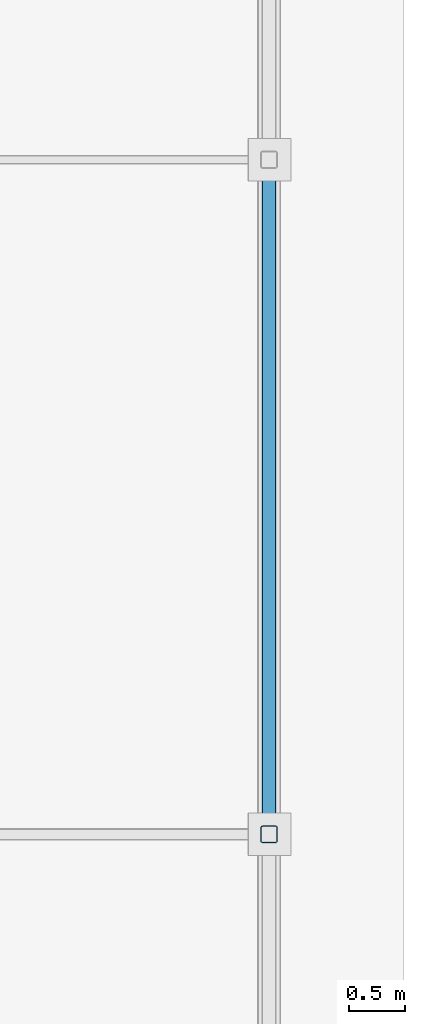
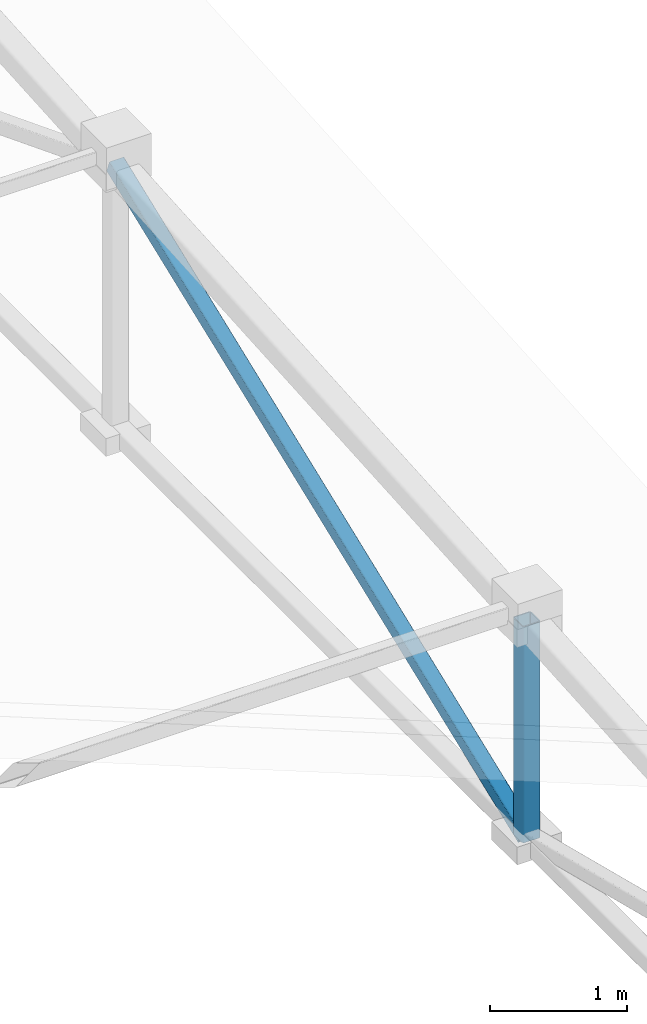
# One storey, part 23 of 85: 2 members.
"""IFC4 building model written with IfcOpenShell, lengths in metres."""

import ifcopenshell
import ifcopenshell.guid

model = None  # the IFC model being written
_history = None  # IfcOwnerHistory: only IFC2X3 demands one
_inside = {}  # id of a spatial element -> (the spatial element, [elements in it])
_under = {}  # id of a project, library or spatial element -> (it, [spatial elements below it])
_declared = {}  # id of a project -> (the project, [libraries it declares])
_typed = {}  # id of a type object -> (the type object, [elements of that type])
_made_of = {}  # id of a material, layer set ... -> (it, [elements and type objects made of it])


def new_model(schema):
    """Start an empty IFC model of exactly this schema.

    Asked for "IFC4X3", IfcOpenShell would pick the latest addendum, in which some entities
    have other attributes; the version numbers below select the first issue.
    IFC2X3 requires an IfcOwnerHistory on every rooted entity: one is made here for all.
    """
    global model, _history
    if schema == "IFC4X3":
        model = ifcopenshell.file(schema_version=(4, 3, 0, 0))
    else:
        model = ifcopenshell.file(schema=schema)
    _inside.clear()
    _under.clear()
    _declared.clear()
    _typed.clear()
    _made_of.clear()
    _history = None
    if model.schema == "IFC2X3":
        org = make("IfcOrganization", Name="unknown")
        user = make(
            "IfcPersonAndOrganization",
            ThePerson=make("IfcPerson", FamilyName="unknown"),
            TheOrganization=org,
        )
        app = make(
            "IfcApplication",
            ApplicationDeveloper=org,
            Version="unknown",
            ApplicationFullName="unknown",
            ApplicationIdentifier="unknown",
        )
        _history = make(
            "IfcOwnerHistory",
            OwningUser=user,
            OwningApplication=app,
            ChangeAction="ADDED",
            CreationDate=0,
        )
    return model


def make(cls, **values):
    """One entity of the class cls with the attributes given. An attribute that is None is left unset."""
    return model.create_entity(
        cls, **{name: value for name, value in values.items() if value is not None}
    )


def rooted(cls, **values):
    """An entity with a GlobalId (a new one), such as an element, a storey or a relation."""
    return make(cls, GlobalId=ifcopenshell.guid.new(), OwnerHistory=_history, **values)


def si_unit(unit_type, name, prefix=None):
    """IfcSIUnit, for example si_unit("LENGTHUNIT", "METRE", prefix="MILLI")."""
    return make("IfcSIUnit", UnitType=unit_type, Prefix=prefix, Name=name)


def assignment(units):
    """IfcUnitAssignment: the units of a project."""
    return None if units is None else make("IfcUnitAssignment", Units=units)


def point(xyz):
    """IfcCartesianPoint."""
    return None if xyz is None else make("IfcCartesianPoint", Coordinates=xyz)


def direction(xyz):
    """IfcDirection."""
    return None if xyz is None else make("IfcDirection", DirectionRatios=xyz)


def frame(location, z_axis=None, x_axis=None):
    """IfcAxis2Placement3D, a coordinate frame: its origin and axes. An axis left out is left unset."""
    return make(
        "IfcAxis2Placement3D",
        Location=point(location),
        Axis=direction(z_axis),
        RefDirection=direction(x_axis),
    )


def frame_2d(location, x_axis=None):
    """IfcAxis2Placement2D, a coordinate frame in the plane: its origin and x axis."""
    return make(
        "IfcAxis2Placement2D", Location=point(location), RefDirection=direction(x_axis)
    )


def origin():
    """The frame at (0, 0, 0) with its axes left unset."""
    return frame((0.0, 0.0, 0.0))


def origin_2d():
    """The frame at (0, 0) in the plane with its x axis left unset."""
    return frame_2d((0.0, 0.0))


def place(relative_to, where):
    """IfcLocalPlacement: puts the frame where relative to a parent placement (None: the world)."""
    return make(
        "IfcLocalPlacement", PlacementRelTo=relative_to, RelativePlacement=where
    )


def context(
    kind, dimensions, precision=None, world=None, true_north=None, identifier=None
):
    """IfcGeometricRepresentationContext, for example the 3D "Model" context."""
    return make(
        "IfcGeometricRepresentationContext",
        ContextIdentifier=identifier,
        ContextType=kind,
        CoordinateSpaceDimension=dimensions,
        Precision=precision,
        WorldCoordinateSystem=world,
        TrueNorth=true_north,
    )


def subcontext(parent, identifier, kind, view, scale=None):
    """IfcGeometricRepresentationSubContext, for example "Body" below "Model"."""
    return make(
        "IfcGeometricRepresentationSubContext",
        ContextIdentifier=identifier,
        ContextType=kind,
        ParentContext=parent,
        TargetScale=scale,
        TargetView=view,
    )


def project(units=None, contexts=None):
    """IfcProject with its units and contexts."""
    return rooted(
        "IfcProject",
        Name="project",
        RepresentationContexts=contexts,
        UnitsInContext=assignment(units),
    )


def spatial(cls, under=None, at=None, **own):
    """A site, building, storey or space (cls), placed at a placement, below another one or the project."""
    s = rooted(cls, ObjectPlacement=at, **own)
    if under is not None:
        _under.setdefault(under.id(), (under, []))[1].append(s)
    return s


def profile(cls, at=None, kind="AREA", **sizes):
    """A parametric profile (cls). Its sizes go by their IFC names, for example OverallWidth=200.0."""
    return make(cls, ProfileType=kind, Position=at, **sizes)


def hollow_rectangle(**sizes):
    """IfcRectangleHollowProfileDef."""
    return profile("IfcRectangleHollowProfileDef", **sizes)


def extrude(swept, where, along, depth):
    """IfcExtrudedAreaSolid: the profile swept, set in the frame where, extruded along a direction by depth."""
    return make(
        "IfcExtrudedAreaSolid",
        SweptArea=swept,
        Position=where,
        ExtrudedDirection=direction(along),
        Depth=depth,
    )


def shape(context_of_items, identifier, shape_type, items):
    """IfcShapeRepresentation: the items that make up one representation, for example the "Body"."""
    return make(
        "IfcShapeRepresentation",
        ContextOfItems=context_of_items,
        RepresentationIdentifier=identifier,
        RepresentationType=shape_type,
        Items=items,
    )


def material(Name=None, Category=None):
    """IfcMaterial."""
    return make("IfcMaterial", Name=Name, Category=Category)


def material_profile(
    of_material, cross_section, Name=None, Category=None, Priority=None
):
    """IfcMaterialProfile: a cross section and its material."""
    return make(
        "IfcMaterialProfile",
        Name=Name,
        Material=of_material,
        Profile=cross_section,
        Priority=Priority,
        Category=Category,
    )


def profile_set(profiles, Name=None, composite=None):
    """IfcMaterialProfileSet."""
    return make(
        "IfcMaterialProfileSet",
        Name=Name,
        MaterialProfiles=profiles,
        CompositeProfile=composite,
    )


def made_of(thing, what):
    """Note that an element or type object is made of a material, layer set ...; save() writes the relation."""
    if what is not None:
        _made_of.setdefault(what.id(), (what, []))[1].append(thing)
    return thing


def type_object(cls, material=None, **own):
    """A type object (cls), such as IfcWallType, which elements share."""
    return made_of(rooted(cls, **own), material)


def element(
    cls,
    number,
    at=None,
    inside=None,
    cuts=None,
    type_object=None,
    material=None,
    context=None,
    identifier="Body",
    shape_type=None,
    held_by="IfcProductDefinitionShape",
    body=None,
    shapes=None,
    **own,
):
    """One element of the class cls, such as IfcWall. Its Tag is "e" and its number.

    at: its placement. inside: the storey or other place that contains it. cuts: it is an
    opening in that element (IfcRelVoidsElement). A single representation is given by context,
    identifier, shape_type and body (its items); several are given by shapes. held_by: the class
    of the entity that holds the representations. save() writes the other relations.
    """
    e = rooted(cls, Tag="e%d" % number, ObjectPlacement=at, **own)
    if body is not None:
        shapes = [shape(context, identifier, shape_type, body)]
    if shapes is not None:
        e.Representation = make(held_by, Representations=shapes)
    if inside is not None:
        _inside.setdefault(inside.id(), (inside, []))[1].append(e)
    if cuts is not None:
        rooted(
            "IfcRelVoidsElement", RelatingBuildingElement=cuts, RelatedOpeningElement=e
        )
    if type_object is not None:
        _typed.setdefault(type_object.id(), (type_object, []))[1].append(e)
    return made_of(e, material)


def aggregate(whole, parts):
    """IfcRelAggregates: a whole, such as a stair, and the parts it consists of."""
    return rooted("IfcRelAggregates", RelatingObject=whole, RelatedObjects=parts)


def save(model, path):
    """Write the relations noted so far, then the file.

    IfcRelAggregates (storeys below a building ...), IfcRelContainedInSpatialStructure (elements
    in a storey), IfcRelDefinesByType, IfcRelAssociatesMaterial and IfcRelDeclares: one each for
    every whole, place, type object, material and project.
    """
    for whole, parts in _under.values():
        aggregate(whole, parts)
    for where, things in _inside.values():
        rooted(
            "IfcRelContainedInSpatialStructure",
            RelatedElements=things,
            RelatingStructure=where,
        )
    for kind, things in _typed.values():
        rooted("IfcRelDefinesByType", RelatedObjects=things, RelatingType=kind)
    for what, things in _made_of.values():
        rooted("IfcRelAssociatesMaterial", RelatedObjects=things, RelatingMaterial=what)
    for by, libraries in _declared.values():
        rooted("IfcRelDeclares", RelatingContext=by, RelatedDefinitions=libraries)
    model.write(path)


model = new_model("IFC4")

# Units and contexts
model_context = context("Model", 3, precision=1e-05, world=origin(), true_north=direction((0.0, 1.0)))
body_context = subcontext(model_context, "Body", "Model", "MODEL_VIEW")
ifc_project = project(units=[si_unit("LENGTHUNIT", "METRE"), si_unit("AREAUNIT", "SQUARE_METRE"), si_unit("VOLUMEUNIT", "CUBIC_METRE"), si_unit("PLANEANGLEUNIT", "RADIAN"), si_unit("MASSUNIT", "GRAM", prefix="KILO"), si_unit("THERMODYNAMICTEMPERATUREUNIT", "KELVIN"), si_unit("POWERUNIT", "WATT")], contexts=[model_context])

# Site, building, storey
site_placement = place(None, origin())
site = spatial("IfcSite", under=ifc_project, at=site_placement, CompositionType="ELEMENT")
building_placement = place(site_placement, origin())
building = spatial("IfcBuilding", under=site, at=building_placement, Name="Zelmaris Science Centre", CompositionType="ELEMENT")
storey_placement = place(building_placement, frame((0.0, 0.0, 20.39990234375)))
storey = spatial("IfcBuildingStorey", under=building, at=storey_placement, Name="L04", CompositionType="ELEMENT", Elevation=20.39990234375)

# Members
ifc_material = material(Name="Steel ASTM A500 Grade C", Category="steel")
ifc_material_profile_1 = material_profile(ifc_material, hollow_rectangle(XDim=0.15234375, YDim=0.15234375, WallThickness=0.0087890625, InnerFilletRadius=0.0087890625, OuterFilletRadius=0.017822265625, at=origin_2d()), Name="HSS152X152X10")
ifc_profile_set_1 = profile_set([ifc_material_profile_1], Name="Steel ASTM A500 Grade C")
member_type_1 = type_object("IfcMemberType", Name="Structural Brace BR-03 HSS152X152X10", PredefinedType="BRACE", material=ifc_profile_set_1)
member_1_placement = place(storey_placement, frame((135.0, 20.0, 0.947998046875), z_axis=(0.0, 0.0, 1.0), x_axis=(1.0, 0.0, 0.0)))
element("IfcMember", 1, at=member_1_placement, inside=storey, type_object=member_type_1, Name="RF-V4 Roof truss 4 vertical web 2", PredefinedType="BRACE", context=body_context, shape_type="SweptSolid", body=[
    extrude(hollow_rectangle(XDim=0.15234375, YDim=0.15234375, WallThickness=0.0087890625, InnerFilletRadius=0.0087890625, OuterFilletRadius=0.017822265625, at=origin_2d()), origin(), (0.0, 0.0, 1.0), 1.9248046875),
])
ifc_material_profile_2 = material_profile(ifc_material, hollow_rectangle(XDim=0.126953125, YDim=0.126953125, WallThickness=0.00732421875, InnerFilletRadius=0.00732421875, OuterFilletRadius=0.014892578125, at=origin_2d()), Name="HSS127X127X8")
ifc_profile_set_2 = profile_set([ifc_material_profile_2], Name="Steel ASTM A500 Grade C")
member_type_2 = type_object("IfcMemberType", Name="Structural Brace BR-04 HSS127X127X8", PredefinedType="BRACE", material=ifc_profile_set_2)
member_2_placement = place(storey_placement, frame((135.0, 20.0, 0.947998046875), z_axis=(0.0, 0.93179104927, 0.362995097075), x_axis=(-1.0, 0.0, 0.0)))
element("IfcMember", 2, at=member_2_placement, inside=storey, type_object=member_type_2, Name="RF-V4 Roof truss 4 web diagonal 3", PredefinedType="BRACE", context=body_context, shape_type="SweptSolid", body=[
    extrude(hollow_rectangle(XDim=0.126953125, YDim=0.126953125, WallThickness=0.00732421875, InnerFilletRadius=0.00732421875, OuterFilletRadius=0.014892578125, at=origin_2d()), origin(), (0.0, 0.0, 1.0), 6.439208984375),
])

save(model, "model.ifc")
